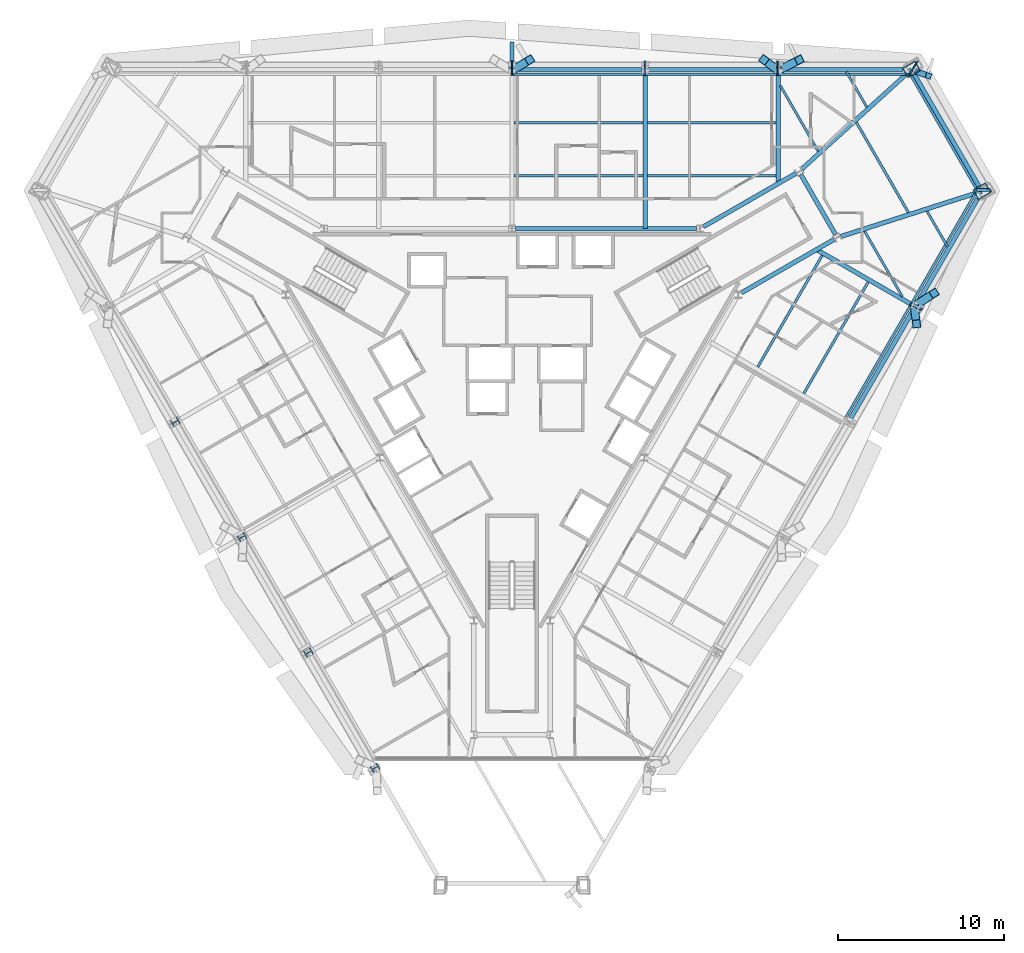
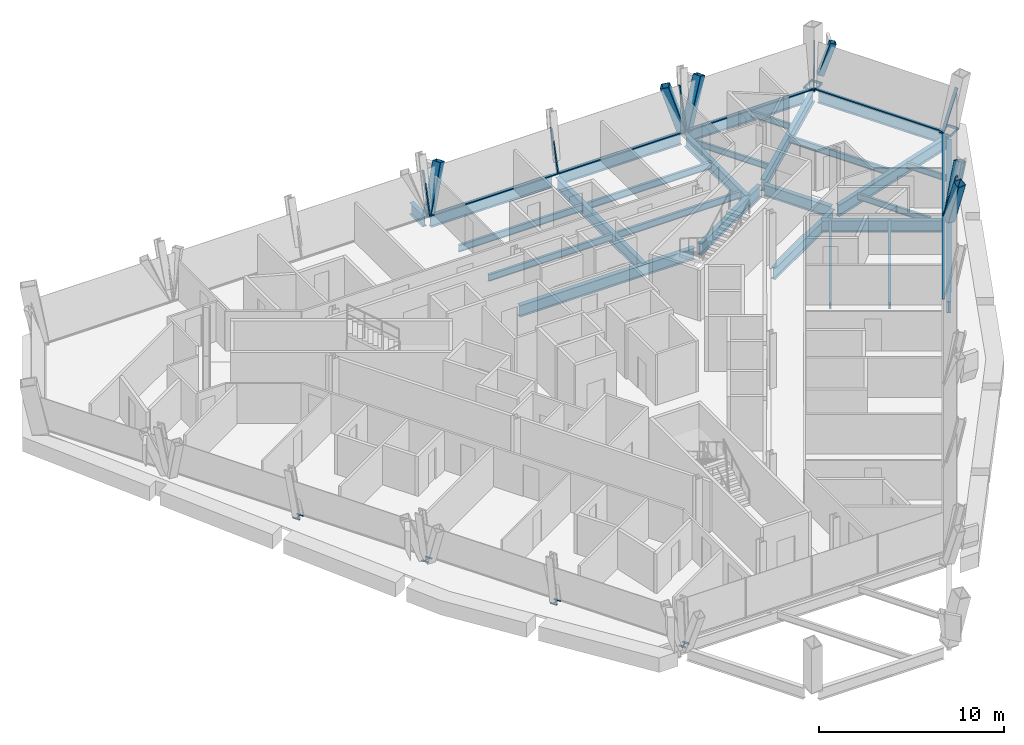
# One storey, part 7 of 15: 27 beams, 24 members, 3 elements without a shape of their own.
"""IFC4 building model written with IfcOpenShell, lengths in metres."""

from ifc_helpers import new_model, si_unit, direction, frame, origin, origin_2d, place, context, subcontext, project, spatial, rectangle, hollow_rectangle, i_section, extrude, material, material_profile, profile_set, type_object, element, aggregate, save


model = new_model("IFC4")

# Units and contexts
model_context = context("Model", 3, precision=1e-05, world=origin(), true_north=direction((0.0, 1.0)))
body_context = subcontext(model_context, "Body", "Model", "MODEL_VIEW")
ifc_project = project(units=[si_unit("LENGTHUNIT", "METRE"), si_unit("AREAUNIT", "SQUARE_METRE"), si_unit("VOLUMEUNIT", "CUBIC_METRE"), si_unit("PLANEANGLEUNIT", "RADIAN"), si_unit("MASSUNIT", "GRAM", prefix="KILO")], contexts=[model_context])

# Site, building, storey
site_placement = place(None, origin())
site = spatial("IfcSite", under=ifc_project, at=site_placement, CompositionType="ELEMENT")
building_placement = place(site_placement, origin())
building = spatial("IfcBuilding", under=site, at=building_placement, Name="Verrane Prism Tower", CompositionType="ELEMENT")
storey_placement = place(building_placement, frame((0.0, 0.0, 118.0)))
storey = spatial("IfcBuildingStorey", under=building, at=storey_placement, Name="L28", CompositionType="ELEMENT", Elevation=118.0)

# Member
ifc_material_1 = material(Name="Steel A500 Grade C", Category="steel")
ifc_material_profile_1 = material_profile(ifc_material_1, hollow_rectangle(XDim=0.355712890625, YDim=0.355712890625, WallThickness=0.0126953125, InnerFilletRadius=0.00634765625, OuterFilletRadius=0.01904296875, at=origin_2d()), Name="HSS14x14x1/2")
ifc_profile_set_1 = profile_set([ifc_material_profile_1], Name="Steel A500 Grade C")
member_type_1 = type_object("IfcMemberType", Name="Chamfer brace HSS14x14x1/2", PredefinedType="BRACE", material=ifc_profile_set_1)
member_1_placement = place(storey_placement, frame((24.44677734375, 18.631103515625, 0.732666015625), z_axis=(0.303029669445, -0.104587481994, 0.947224618581), x_axis=(0.326254109702, 0.945282103873, 0.0)))
element("IfcMember", 1, at=member_1_placement, inside=storey, type_object=member_type_1, Name="Chamfer brace NE0 L28", PredefinedType="BRACE", context=body_context, shape_type="SweptSolid", body=[
    extrude(hollow_rectangle(XDim=0.355712890625, YDim=0.355712890625, WallThickness=0.0126953125, InnerFilletRadius=0.00634765625, OuterFilletRadius=0.01904296875, at=origin_2d()), origin(), (0.0, 0.0, 1.0), 2.13818359375),
])

# Beams
ifc_material_2 = material(Name="Steel A992", Category="steel")
ifc_material_profile_2 = material_profile(ifc_material_2, i_section(OverallWidth=0.2666015625, OverallDepth=0.76708984375, WebThickness=0.014892578125, FlangeThickness=0.023681640625, FilletRadius=0.0166015625, at=origin_2d()), Name="W30x124")
ifc_profile_set_2 = profile_set([ifc_material_profile_2], Name="Steel A992")
beam_type_1 = type_object("IfcBeamType", Name="Chamfer spandrel beam W30x124", PredefinedType="SPANDREL", material=ifc_profile_set_2)
beam_1_placement = place(storey_placement, frame((28.135009765625, 11.753173828125, -0.54345703125), z_axis=(-0.500214307011, 0.865901638214, 0.0), x_axis=(-0.865901638214, -0.500214307011, 0.0)))
element("IfcBeam", 2, at=beam_1_placement, inside=storey, type_object=beam_type_1, Name="Chamfer spandrel beam L28", PredefinedType="SPANDREL", context=body_context, shape_type="SweptSolid", body=[
    extrude(i_section(OverallWidth=0.2666015625, OverallDepth=0.76708984375, WebThickness=0.014892578125, FlangeThickness=0.023681640625, FilletRadius=0.0166015625, at=origin_2d()), origin(), (0.0, 0.0, 1.0), 7.7763671875),
])
ifc_material_3 = material(Name="Steel A992", Category="steel")
ifc_material_profile_3 = material_profile(ifc_material_3, i_section(OverallWidth=0.2666015625, OverallDepth=0.7568359375, WebThickness=0.013916015625, FlangeThickness=0.019287109375, FilletRadius=0.0166015625, at=origin_2d()), Name="W30x108")
ifc_profile_set_3 = profile_set([ifc_material_profile_3], Name="Steel A992")
beam_type_2 = type_object("IfcBeamType", Name="Core ring girder W30x108", PredefinedType="BEAM", material=ifc_profile_set_3)
beam_2_placement = place(storey_placement, frame((13.830810546875, 5.335693359375, -0.62841796875), z_axis=(0.866455532004, 0.499254254924, 0.0), x_axis=(-0.499254254924, 0.866455532004, 0.0)))
element("IfcBeam", 3, at=beam_2_placement, inside=storey, type_object=beam_type_2, Name="Core ring girder L28", PredefinedType="BEAM", context=body_context, shape_type="SweptSolid", body=[
    extrude(i_section(OverallWidth=0.2666015625, OverallDepth=0.7568359375, WebThickness=0.013916015625, FlangeThickness=0.019287109375, FilletRadius=0.0166015625, at=origin_2d()), origin(), (0.0, 0.0, 1.0), 6.441162109375),
])
beam_3_placement = place(storey_placement, frame((19.4970703125, 8.838134765625, -0.62841796875), z_axis=(-0.500367003619, 0.865813410435, 0.0), x_axis=(-0.865813410435, -0.500367003619, 0.0)))
element("IfcBeam", 4, at=beam_3_placement, inside=storey, type_object=beam_type_2, Name="Core ring girder L28", PredefinedType="BEAM", context=body_context, shape_type="SweptSolid", body=[
    extrude(i_section(OverallWidth=0.2666015625, OverallDepth=0.7568359375, WebThickness=0.013916015625, FlangeThickness=0.019287109375, FilletRadius=0.0166015625, at=origin_2d()), origin(), (0.0, 0.0, 1.0), 4.185302734375),
])
beam_4_placement = place(storey_placement, frame((17.11181640625, 12.531494140625, -0.62841796875), z_axis=(-0.866455532004, -0.499254254924, 0.0), x_axis=(0.499254254924, -0.866455532004, 0.0)))
element("IfcBeam", 5, at=beam_4_placement, inside=storey, type_object=beam_type_2, Name="Core ring girder L28", PredefinedType="BEAM", context=body_context, shape_type="SweptSolid", body=[
    extrude(i_section(OverallWidth=0.2666015625, OverallDepth=0.7568359375, WebThickness=0.013916015625, FlangeThickness=0.019287109375, FilletRadius=0.0166015625, at=origin_2d()), origin(), (0.0, 0.0, 1.0), 6.441162109375),
])
beam_5_placement = place(storey_placement, frame((11.12939453125, 9.199951171875, -0.62841796875), z_axis=(-1.0, 0.0, 0.0), x_axis=(0.0, -1.0, 0.0)))
element("IfcBeam", 6, at=beam_5_placement, inside=storey, type_object=beam_type_2, Name="Core ring girder L28", PredefinedType="BEAM", context=body_context, shape_type="SweptSolid", body=[
    extrude(i_section(OverallWidth=0.2666015625, OverallDepth=0.7568359375, WebThickness=0.013916015625, FlangeThickness=0.019287109375, FilletRadius=0.0166015625, at=origin_2d()), origin(), (0.0, 0.0, 1.0), 10.9287109375),
])
ifc_material_4 = material(Name="Steel A992", Category="steel")
ifc_material_profile_4 = material_profile(ifc_material_4, i_section(OverallWidth=0.2666015625, OverallDepth=0.76708984375, WebThickness=0.014892578125, FlangeThickness=0.023681640625, FilletRadius=0.0166015625, at=origin_2d()), Name="W30x124")
ifc_profile_set_4 = profile_set([ifc_material_profile_4], Name="Steel A992")
beam_type_3 = type_object("IfcBeamType", Name="Corner girder W30x124", PredefinedType="BEAM", material=ifc_profile_set_4)
beam_6_placement = place(storey_placement, frame((28.3056640625, 11.448486328125, -0.603515625), z_axis=(-0.952340206189, -0.305037918423, 0.0), x_axis=(0.305037918423, -0.952340206189, 0.0)))
element("IfcBeam", 7, at=beam_6_placement, inside=storey, type_object=beam_type_3, Name="Corner girder L28", PredefinedType="BEAM", context=body_context, shape_type="SweptSolid", body=[
    extrude(i_section(OverallWidth=0.2666015625, OverallDepth=0.76708984375, WebThickness=0.014892578125, FlangeThickness=0.023681640625, FilletRadius=0.0166015625, at=origin_2d()), origin(), (0.0, 0.0, 1.0), 8.919189453125),
])
beam_7_placement = place(storey_placement, frame((24.068115234375, 18.788330078125, -0.603515625), z_axis=(-0.740172818675, -0.67241668517, 0.0), x_axis=(0.67241668517, -0.740172818675, 0.0)))
element("IfcBeam", 8, at=beam_7_placement, inside=storey, type_object=beam_type_3, Name="Corner girder L28", PredefinedType="BEAM", context=body_context, shape_type="SweptSolid", body=[
    extrude(i_section(OverallWidth=0.2666015625, OverallDepth=0.76708984375, WebThickness=0.014892578125, FlangeThickness=0.023681640625, FilletRadius=0.0166015625, at=origin_2d()), origin(), (0.0, 0.0, 1.0), 8.921630859375),
])

# Members
ifc_material_5 = material(Name="Steel A1085 Grade A", Category="steel")
ifc_material_profile_5 = material_profile(ifc_material_5, hollow_rectangle(XDim=0.508056640625, YDim=0.508056640625, WallThickness=0.025390625, InnerFilletRadius=0.0126953125, OuterFilletRadius=0.0380859375, at=origin_2d()), Name="HSS20x20x1")
ifc_profile_set_5 = profile_set([ifc_material_profile_5], Name="Steel A1085 Grade A")
member_type_2 = type_object("IfcMemberType", Name="Facade brace HSS20x20x1", PredefinedType="BRACE", material=ifc_profile_set_5)
member_2_placement = place(storey_placement, frame((16.17138671875, 18.7900390625, -0.197509765625), z_axis=(0.353566984918, 0.180073367078, 0.917912833359), x_axis=(-0.453834408523, 0.891086039415, 0.0)))
element("IfcMember", 9, at=member_2_placement, inside=storey, type_object=member_type_2, Name="Facade brace N0 L28", PredefinedType="BRACE", context=body_context, shape_type="SweptSolid", body=[
    extrude(hollow_rectangle(XDim=0.508056640625, YDim=0.508056640625, WallThickness=0.025390625, InnerFilletRadius=0.0126953125, OuterFilletRadius=0.0380859375, at=origin_2d()), origin(), (0.0, 0.0, 1.0), 3.22802734375),
])
member_3_placement = place(storey_placement, frame((15.951416015625, 18.7900390625, -0.197509765625), z_axis=(-0.247465977731, 0.186519940797, 0.950773843535), x_axis=(-0.601899306778, -0.798571990807, 0.0)))
element("IfcMember", 10, at=member_3_placement, inside=storey, type_object=member_type_2, Name="Facade brace N1 L28", PredefinedType="BRACE", context=body_context, shape_type="SweptSolid", body=[
    extrude(hollow_rectangle(XDim=0.508056640625, YDim=0.508056640625, WallThickness=0.025390625, InnerFilletRadius=0.0126953125, OuterFilletRadius=0.0380859375, at=origin_2d()), origin(), (0.0, 0.0, 1.0), 3.116455078125),
])
member_4_placement = place(storey_placement, frame((0.110107421875, 18.7900390625, -0.197509765625), z_axis=(0.302056863472, 0.183515537619, 0.935459084451), x_axis=(-0.519234190392, 0.854632000061, 0.0)))
element("IfcMember", 11, at=member_4_placement, inside=storey, type_object=member_type_2, Name="Facade brace N2 L28", PredefinedType="BRACE", context=body_context, shape_type="SweptSolid", body=[
    extrude(hollow_rectangle(XDim=0.508056640625, YDim=0.508056640625, WallThickness=0.025390625, InnerFilletRadius=0.0126953125, OuterFilletRadius=0.0380859375, at=origin_2d()), origin(), (0.0, 0.0, 1.0), 3.16748046875),
])
member_5_placement = place(storey_placement, frame((24.25537109375, 4.4228515625, -0.197509765625), z_axis=(0.037356694679, -0.308408099886, 0.950520342385), x_axis=(0.992743816688, 0.120248552707, 0.0)))
element("IfcMember", 12, at=member_5_placement, inside=storey, type_object=member_type_2, Name="Facade brace SE4 L28", PredefinedType="BRACE", context=body_context, shape_type="SweptSolid", body=[
    extrude(hollow_rectangle(XDim=0.508056640625, YDim=0.508056640625, WallThickness=0.025390625, InnerFilletRadius=0.0126953125, OuterFilletRadius=0.0380859375, at=origin_2d()), origin(), (0.0, 0.0, 1.0), 3.117431640625),
])
member_6_placement = place(storey_placement, frame((24.365478515625, 4.61328125, -0.197509765625), z_axis=(0.332338228681, 0.215607546492, 0.918185540974), x_axis=(-0.544256493754, 0.838918869144, 0.0)))
element("IfcMember", 13, at=member_6_placement, inside=storey, type_object=member_type_2, Name="Facade brace SE5 L28", PredefinedType="BRACE", context=body_context, shape_type="SweptSolid", body=[
    extrude(hollow_rectangle(XDim=0.508056640625, YDim=0.508056640625, WallThickness=0.025390625, InnerFilletRadius=0.0126953125, OuterFilletRadius=0.0380859375, at=origin_2d()), origin(), (0.0, 0.0, 1.0), 3.22705078125),
])

# Beams
ifc_material_6 = material(Name="Steel A992", Category="steel")
ifc_material_profile_6 = material_profile(ifc_material_6, i_section(OverallWidth=0.140380859375, OverallDepth=0.40380859375, WebThickness=0.007080078125, FlangeThickness=0.01123046875, FilletRadius=0.01025390625, at=origin_2d()), Name="W16x31")
ifc_profile_set_6 = profile_set([ifc_material_profile_6], Name="Steel A992")
beam_type_4 = type_object("IfcBeamType", Name="Floor beam W16x31", PredefinedType="BEAM", material=ifc_profile_set_6)
beam_8_placement = place(storey_placement, frame((21.37744140625, 16.5244140625, -0.36181640625), z_axis=(-0.500000007376, 0.866025399526, 0.0), x_axis=(-0.866025399526, -0.500000007376, 0.0)))
element("IfcBeam", 14, at=beam_8_placement, inside=storey, type_object=beam_type_4, Name="Floor beam L28", PredefinedType="BEAM", context=body_context, shape_type="SweptSolid", body=[
    extrude(i_section(OverallWidth=0.140380859375, OverallDepth=0.40380859375, WebThickness=0.007080078125, FlangeThickness=0.01123046875, FilletRadius=0.01025390625, at=origin_2d()), origin(), (0.0, 0.0, 1.0), 2.4619140625),
])
beam_9_placement = place(storey_placement, frame((18.4501953125, 13.864990234375, -0.36181640625), z_axis=(-0.500008678503, 0.86602039319, 0.0), x_axis=(-0.86602039319, -0.500008678503, 0.0)))
element("IfcBeam", 15, at=beam_9_placement, inside=storey, type_object=beam_type_4, Name="Floor beam L28", PredefinedType="BEAM", context=body_context, shape_type="SweptSolid", body=[
    extrude(i_section(OverallWidth=0.140380859375, OverallDepth=0.40380859375, WebThickness=0.007080078125, FlangeThickness=0.01123046875, FilletRadius=0.01025390625, at=origin_2d()), origin(), (0.0, 0.0, 1.0), 4.55322265625),
])
beam_10_placement = place(storey_placement, frame((26.23583984375, 8.122314453125, -0.36181640625), z_axis=(-0.500026134388, 0.866010314562, 0.0), x_axis=(-0.866010314562, -0.500026134388, 0.0)))
element("IfcBeam", 16, at=beam_10_placement, inside=storey, type_object=beam_type_4, Name="Floor beam L28", PredefinedType="BEAM", context=body_context, shape_type="SweptSolid", body=[
    extrude(i_section(OverallWidth=0.140380859375, OverallDepth=0.40380859375, WebThickness=0.007080078125, FlangeThickness=0.01123046875, FilletRadius=0.01025390625, at=origin_2d()), origin(), (0.0, 0.0, 1.0), 2.458740234375),
])
beam_11_placement = place(storey_placement, frame((23.5205078125, 5.104736328125, -0.36181640625), z_axis=(-0.500004125498, 0.866023021914, 0.0), x_axis=(-0.866023021914, -0.500004125498, 0.0)))
element("IfcBeam", 17, at=beam_11_placement, inside=storey, type_object=beam_type_4, Name="Floor beam L28", PredefinedType="BEAM", context=body_context, shape_type="SweptSolid", body=[
    extrude(i_section(OverallWidth=0.140380859375, OverallDepth=0.40380859375, WebThickness=0.007080078125, FlangeThickness=0.01123046875, FilletRadius=0.01025390625, at=origin_2d()), origin(), (0.0, 0.0, 1.0), 4.5517578125),
])
ifc_material_7 = material(Name="Steel A992", Category="steel")
ifc_material_profile_7 = material_profile(ifc_material_7, i_section(OverallWidth=0.15234375, OverallDepth=0.449462890625, WebThickness=0.007568359375, FlangeThickness=0.0107421875, FilletRadius=0.01025390625, at=origin_2d()), Name="W18x35")
ifc_profile_set_7 = profile_set([ifc_material_profile_7], Name="Steel A992")
beam_type_5 = type_object("IfcBeamType", Name="Floor beam W18x35", PredefinedType="BEAM", material=ifc_profile_set_7)
for number, where, z_axis, x_axis, name in (
    (18, (8.153564453125, 12.396728515625, -0.384765625), (1.0, 0.0, 0.0), (0.0, 1.0, 0.0), "Floor beam L28"),
    (19, (8.153564453125, 15.59326171875, -0.384765625), (1.0, 0.0, 0.0), (0.0, 1.0, 0.0), "Floor beam L28"),
    (20, (0.133544921875, 12.396728515625, -0.384765625), (1.0, 0.0, 0.0), (0.0, 1.0, 0.0), "Floor beam L28"),
    (21, (0.133544921875, 15.59326171875, -0.384765625), (1.0, 0.0, 0.0), (0.0, 1.0, 0.0), "Floor beam L28"),
):
    element("IfcBeam", number, at=place(storey_placement, frame(where, z_axis=z_axis, x_axis=x_axis)), inside=storey, type_object=beam_type_5, Name=name, PredefinedType="BEAM", context=body_context, shape_type="SweptSolid", body=[
        extrude(i_section(OverallWidth=0.15234375, OverallDepth=0.449462890625, WebThickness=0.007568359375, FlangeThickness=0.0107421875, FilletRadius=0.01025390625, at=origin_2d()), origin(), (0.0, 0.0, 1.0), 7.7529296875),
    ])
beam_12_placement = place(storey_placement, frame((17.58056640625, -0.736572265625, -0.384765625), z_axis=(0.499974721637, 0.866039997762, 0.0), x_axis=(-0.866039997762, 0.499974721637, 0.0)))
element("IfcBeam", 22, at=beam_12_placement, inside=storey, type_object=beam_type_5, Name="Floor beam L28", PredefinedType="BEAM", context=body_context, shape_type="SweptSolid", body=[
    extrude(i_section(OverallWidth=0.15234375, OverallDepth=0.449462890625, WebThickness=0.007568359375, FlangeThickness=0.0107421875, FilletRadius=0.01025390625, at=origin_2d()), origin(), (0.0, 0.0, 1.0), 7.76318359375),
])
beam_13_placement = place(storey_placement, frame((14.80859375, 0.864501953125, -0.384765625), z_axis=(0.500014594887, 0.866016977259, 0.0), x_axis=(-0.866016977259, 0.500014594887, 0.0)))
element("IfcBeam", 23, at=beam_13_placement, inside=storey, type_object=beam_type_5, Name="Floor beam L28", PredefinedType="BEAM", context=body_context, shape_type="SweptSolid", body=[
    extrude(i_section(OverallWidth=0.15234375, OverallDepth=0.449462890625, WebThickness=0.007568359375, FlangeThickness=0.0107421875, FilletRadius=0.01025390625, at=origin_2d()), origin(), (0.0, 0.0, 1.0), 7.764404296875),
])
beam_14_placement = place(storey_placement, frame((23.8857421875, 10.173095703125, -0.384765625), z_axis=(-0.50001262068, 0.866018117109, 0.0), x_axis=(-0.866018117109, -0.50001262068, 0.0)))
element("IfcBeam", 24, at=beam_14_placement, inside=storey, type_object=beam_type_5, Name="Floor beam L28", PredefinedType="BEAM", context=body_context, shape_type="SweptSolid", body=[
    extrude(i_section(OverallWidth=0.15234375, OverallDepth=0.449462890625, WebThickness=0.007568359375, FlangeThickness=0.0107421875, FilletRadius=0.01025390625, at=origin_2d()), origin(), (0.0, 0.0, 1.0), 6.263427734375),
])

# Members
ifc_material_8 = material(Name="Steel A572 Grade 50", Category="steel")
ifc_material_profile_8 = material_profile(ifc_material_8, hollow_rectangle(XDim=0.699951171875, YDim=0.89990234375, WallThickness=0.06494140625, at=origin_2d()), Name="BOX 900x700x65")
ifc_profile_set_8 = profile_set([ifc_material_profile_8], Name="Steel A572 Grade 50")
member_type_3 = type_object("IfcMemberType", Name="Kink node BOX 900x700x65", PredefinedType="COLLAR", material=ifc_profile_set_8)
for number, where, z_axis, x_axis, name in (
    (25, (28.318359375, 11.449951171875, -0.074951171875), (0.0, 0.0, 1.0), (0.5, -0.866025403784, 0.0), "Kink node MC3 L28"),
    (26, (24.07421875, 18.79736328125, -0.074951171875), (0.0, 0.0, 1.0), (0.5, -0.866025403784, 0.0), "Kink node MC3 L28"),
):
    element("IfcMember", number, at=place(storey_placement, frame(where, z_axis=z_axis, x_axis=x_axis)), inside=storey, type_object=member_type_3, Name=name, PredefinedType="COLLAR", context=body_context, shape_type="SweptSolid", body=[
        extrude(hollow_rectangle(XDim=0.699951171875, YDim=0.89990234375, WallThickness=0.06494140625, at=origin_2d()), origin(), (0.0, 0.0, 1.0), 0.14990234375),
    ])
ifc_material_9 = material(Name="Steel A992", Category="steel")
ifc_material_profile_9 = material_profile(ifc_material_9, i_section(OverallWidth=0.424072265625, OverallDepth=0.47509765625, WebThickness=0.0478515625, FlangeThickness=0.0771484375, FilletRadius=0.014892578125, at=origin_2d()), Name="W14x426")
ifc_profile_set_9 = profile_set([ifc_material_profile_9], Name="Steel A992")
member_type_4 = type_object("IfcMemberType", Name="Kink node W14x426", PredefinedType="COLLAR", material=ifc_profile_set_9)
member_7_placement = place(storey_placement, frame((-20.28369140625, -2.451416015625, -0.0400390625), z_axis=(0.0, 0.0, 1.0), x_axis=(-0.5, 0.866025403784, 0.0)))
element("IfcMember", 27, at=member_7_placement, inside=storey, type_object=member_type_4, Name="Kink node PC4 L28", PredefinedType="COLLAR", context=body_context, shape_type="SweptSolid", body=[
    extrude(i_section(OverallWidth=0.424072265625, OverallDepth=0.47509765625, WebThickness=0.0478515625, FlangeThickness=0.0771484375, FilletRadius=0.014892578125, at=origin_2d()), origin(), (0.0, 0.0, 1.0), 0.080078125),
])
member_8_placement = place(storey_placement, frame((-16.27294921875, -9.3916015625, -0.034912109375), z_axis=(0.0, 0.0, 1.0), x_axis=(-0.5, 0.866025403784, 0.0)))
element("IfcMember", 28, at=member_8_placement, inside=storey, type_object=member_type_4, Name="Kink node PC4 L28", PredefinedType="COLLAR", context=body_context, shape_type="SweptSolid", body=[
    extrude(i_section(OverallWidth=0.424072265625, OverallDepth=0.47509765625, WebThickness=0.0478515625, FlangeThickness=0.0771484375, FilletRadius=0.014892578125, at=origin_2d()), origin(), (0.0, 0.0, 1.0), 0.06982421875),
])
member_9_placement = place(storey_placement, frame((-12.262939453125, -16.342529296875, -0.0400390625), z_axis=(0.0, 0.0, 1.0), x_axis=(-0.5, 0.866025403784, 0.0)))
element("IfcMember", 29, at=member_9_placement, inside=storey, type_object=member_type_4, Name="Kink node PC4 L28", PredefinedType="COLLAR", context=body_context, shape_type="SweptSolid", body=[
    extrude(i_section(OverallWidth=0.424072265625, OverallDepth=0.47509765625, WebThickness=0.0478515625, FlangeThickness=0.0771484375, FilletRadius=0.014892578125, at=origin_2d()), origin(), (0.0, 0.0, 1.0), 0.080078125),
])
member_10_placement = place(storey_placement, frame((-8.2529296875, -23.293701171875, -0.044921875), z_axis=(0.0, 0.0, 1.0), x_axis=(-0.5, 0.866025403784, 0.0)))
element("IfcMember", 30, at=member_10_placement, inside=storey, type_object=member_type_4, Name="Kink node PC4 L28", PredefinedType="COLLAR", context=body_context, shape_type="SweptSolid", body=[
    extrude(i_section(OverallWidth=0.424072265625, OverallDepth=0.47509765625, WebThickness=0.0478515625, FlangeThickness=0.0771484375, FilletRadius=0.014892578125, at=origin_2d()), origin(), (0.0, 0.0, 1.0), 0.08984375),
])

# Curtain wall, member
ifc_material_10 = material(Name="Aluminium framed insulated glazing", Category="aluminium")
curtain_wall_type = type_object("IfcCurtainWallType", Name="Curtain wall CW-A 8400 module", PredefinedType="NOTDEFINED", material=ifc_material_10)
curtain_wall_1_placement = place(storey_placement, origin())
curtain_wall_1 = element("IfcCurtainWall", 31, at=curtain_wall_1_placement, inside=storey, type_object=curtain_wall_type, Name="Glazed curtain wall north-east corner L28", PredefinedType="NOTDEFINED")
ifc_material_11 = material(Name="Aluminium alloy 6063-T6", Category="aluminium")
ifc_material_profile_10 = material_profile(ifc_material_11, rectangle(XDim=0.199951171875, YDim=0.070068359375, at=origin_2d()), Name="Mullion 70x200 aluminium")
ifc_profile_set_10 = profile_set([ifc_material_profile_10], Name="Aluminium alloy 6063-T6")
member_type_5 = type_object("IfcMemberType", Name="Mullion 70x200 aluminium", PredefinedType="MULLION", material=ifc_profile_set_10)
member_11_placement = place(storey_placement, frame((28.010498046875, 11.55419921875, 0.0), z_axis=(0.301390711003, -0.010868952629, 0.953438778942), x_axis=(0.445194610962, -0.882645753632, -0.150792015588)))
member_11 = element("IfcMember", 32, at=member_11_placement, type_object=member_type_5, Name="CW27.1 mullion 1", PredefinedType="MULLION", context=body_context, shape_type="SweptSolid", body=[
    extrude(rectangle(XDim=0.199951171875, YDim=0.070068359375, at=origin_2d()), origin(), (0.0, 0.0, 1.0), 2.740478515625),
])

# Curtain wall, members
curtain_wall_2_placement = place(storey_placement, origin())
curtain_wall_2 = element("IfcCurtainWall", 33, at=curtain_wall_2_placement, inside=storey, type_object=curtain_wall_type, Name="Glazed curtain wall north face L28", PredefinedType="NOTDEFINED")
member_12_placement = place(storey_placement, frame((23.958984375, 18.510986328125, 0.0), z_axis=(0.160448319196, 0.255416619176, 0.95342471518), x_axis=(0.507160567193, 0.807345555881, -0.301631086734)))
member_12 = element("IfcMember", 34, at=member_12_placement, type_object=member_type_5, Name="CW27.2 mullion 1", PredefinedType="MULLION", context=body_context, shape_type="SweptSolid", body=[
    extrude(rectangle(XDim=0.199951171875, YDim=0.070068359375, at=origin_2d()), origin(), (0.0, 0.0, 1.0), 2.740478515625),
])
member_13_placement = place(storey_placement, frame((15.99609375, 18.510986328125, 0.0), z_axis=(0.0, 0.25876916976, 0.965939188967), x_axis=(0.0, 0.965939188967, -0.25876916976)))
member_13 = element("IfcMember", 35, at=member_13_placement, type_object=member_type_5, Name="CW27.2 mullion 2", PredefinedType="MULLION", context=body_context, shape_type="SweptSolid", body=[
    extrude(rectangle(XDim=0.199951171875, YDim=0.070068359375, at=origin_2d()), origin(), (0.0, 0.0, 1.0), 2.704833984375),
])
member_14_placement = place(storey_placement, frame((7.998046875, 18.510986328125, 0.0), z_axis=(0.0, 0.25876916976, 0.965939188967), x_axis=(0.0, 0.965939188967, -0.25876916976)))
member_14 = element("IfcMember", 36, at=member_14_placement, type_object=member_type_5, Name="CW27.2 mullion 3", PredefinedType="MULLION", context=body_context, shape_type="SweptSolid", body=[
    extrude(rectangle(XDim=0.199951171875, YDim=0.070068359375, at=origin_2d()), origin(), (0.0, 0.0, 1.0), 2.704833984375),
])
member_15_placement = place(storey_placement, frame((0.0, 18.510986328125, 0.0), z_axis=(0.0, 0.25876916976, 0.965939188967), x_axis=(0.0, 0.965939188967, -0.25876916976)))
member_15 = element("IfcMember", 37, at=member_15_placement, type_object=member_type_5, Name="CW27.2 mullion 4", PredefinedType="MULLION", context=body_context, shape_type="SweptSolid", body=[
    extrude(rectangle(XDim=0.199951171875, YDim=0.070068359375, at=origin_2d()), origin(), (0.0, 0.0, 1.0), 2.704833984375),
])

# Curtain wall, member
curtain_wall_3_placement = place(storey_placement, origin())
curtain_wall_3 = element("IfcCurtainWall", 38, at=curtain_wall_3_placement, inside=storey, type_object=curtain_wall_type, Name="Glazed curtain wall south-east face L28", PredefinedType="NOTDEFINED")
member_16_placement = place(storey_placement, frame((24.07177734375, 4.671630859375, 0.0), z_axis=(0.224108381383, -0.129428682603, 0.965931493178), x_axis=(-0.8513401511, -0.508405286156, 0.129398655843)))
member_16 = element("IfcMember", 39, at=member_16_placement, type_object=member_type_5, Name="CW27.6 mullion 5", PredefinedType="MULLION", context=body_context, shape_type="SweptSolid", body=[
    extrude(rectangle(XDim=0.199951171875, YDim=0.070068359375, at=origin_2d()), origin(), (0.0, 0.0, 1.0), 2.704833984375),
])

# Beams
ifc_material_12 = material(Name="Steel A992", Category="steel")
ifc_material_profile_11 = material_profile(ifc_material_12, i_section(OverallWidth=0.2666015625, OverallDepth=0.76708984375, WebThickness=0.014892578125, FlangeThickness=0.023681640625, FilletRadius=0.0166015625, at=origin_2d()), Name="W30x124")
ifc_profile_set_11 = profile_set([ifc_material_profile_11], Name="Steel A992")
beam_type_6 = type_object("IfcBeamType", Name="Radial girder W30x124", PredefinedType="BEAM", material=ifc_profile_set_11)
beam_15_placement = place(storey_placement, frame((16.0400390625, 18.552490234375, -0.603515625), z_axis=(0.0, -1.0, 0.0), x_axis=(1.0, 0.0, 0.0)))
element("IfcBeam", 40, at=beam_15_placement, inside=storey, type_object=beam_type_6, Name="Radial girder L28", PredefinedType="BEAM", context=body_context, shape_type="SweptSolid", body=[
    extrude(i_section(OverallWidth=0.2666015625, OverallDepth=0.76708984375, WebThickness=0.014892578125, FlangeThickness=0.023681640625, FilletRadius=0.0166015625, at=origin_2d()), origin(), (0.0, 0.0, 1.0), 6.638427734375),
])
beam_16_placement = place(storey_placement, frame((8.02001953125, 18.552490234375, -0.603515625), z_axis=(0.0, -1.0, 0.0), x_axis=(1.0, 0.0, 0.0)))
element("IfcBeam", 41, at=beam_16_placement, inside=storey, type_object=beam_type_6, Name="Radial girder L28", PredefinedType="BEAM", context=body_context, shape_type="SweptSolid", body=[
    extrude(i_section(OverallWidth=0.2666015625, OverallDepth=0.76708984375, WebThickness=0.014892578125, FlangeThickness=0.023681640625, FilletRadius=0.0166015625, at=origin_2d()), origin(), (0.0, 0.0, 1.0), 9.3525390625),
])
beam_17_placement = place(storey_placement, frame((24.09423828125, 4.61865234375, -0.603515625), z_axis=(-0.866011622103, 0.500023869813, 0.0), x_axis=(-0.500023869813, -0.866011622103, 0.0)))
element("IfcBeam", 42, at=beam_17_placement, inside=storey, type_object=beam_type_6, Name="Radial girder L28", PredefinedType="BEAM", context=body_context, shape_type="SweptSolid", body=[
    extrude(i_section(OverallWidth=0.2666015625, OverallDepth=0.76708984375, WebThickness=0.014892578125, FlangeThickness=0.023681640625, FilletRadius=0.0166015625, at=origin_2d()), origin(), (0.0, 0.0, 1.0), 6.637451171875),
])
beam_18_placement = place(storey_placement, frame((0.0, 19.0234375, -0.603515625), z_axis=(0.0, 1.0, 0.0), x_axis=(-1.0, 0.0, 0.0)))
element("IfcBeam", 43, at=beam_18_placement, inside=storey, type_object=beam_type_6, Name="Cantilever girder L28", PredefinedType="BEAM", context=body_context, shape_type="SweptSolid", body=[
    extrude(i_section(OverallWidth=0.2666015625, OverallDepth=0.76708984375, WebThickness=0.014892578125, FlangeThickness=0.023681640625, FilletRadius=0.0166015625, at=origin_2d()), origin(), (0.0, 0.0, 1.0), 1.42041015625),
])
ifc_material_13 = material(Name="Steel A992", Category="steel")
ifc_material_profile_12 = material_profile(ifc_material_13, i_section(OverallWidth=0.2666015625, OverallDepth=0.7568359375, WebThickness=0.013916015625, FlangeThickness=0.019287109375, FilletRadius=0.0166015625, at=origin_2d()), Name="W30x108")
ifc_profile_set_12 = profile_set([ifc_material_profile_12], Name="Steel A992")
beam_type_7 = type_object("IfcBeamType", Name="Spandrel beam W30x108", PredefinedType="SPANDREL", material=ifc_profile_set_12)
beam_19_placement = place(storey_placement, frame((23.55029296875, 18.7900390625, -0.53857421875), z_axis=(-1.0, 0.0, 0.0), x_axis=(0.0, -1.0, 0.0)))
element("IfcBeam", 44, at=beam_19_placement, inside=storey, type_object=beam_type_7, Name="Spandrel beam L28", PredefinedType="SPANDREL", context=body_context, shape_type="SweptSolid", body=[
    extrude(i_section(OverallWidth=0.2666015625, OverallDepth=0.7568359375, WebThickness=0.013916015625, FlangeThickness=0.019287109375, FilletRadius=0.0166015625, at=origin_2d()), origin(), (0.0, 0.0, 1.0), 7.298095703125),
])
for number, where, z_axis, x_axis, name in (
    (45, (15.827880859375, 18.7900390625, -0.53857421875), (-1.0, 0.0, 0.0), (0.0, -1.0, 0.0), "Spandrel beam L28"),
    (46, (7.807861328125, 18.7900390625, -0.53857421875), (-1.0, 0.0, 0.0), (0.0, -1.0, 0.0), "Spandrel beam L28"),
):
    element("IfcBeam", number, at=place(storey_placement, frame(where, z_axis=z_axis, x_axis=x_axis)), inside=storey, type_object=beam_type_7, Name=name, PredefinedType="SPANDREL", context=body_context, shape_type="SweptSolid", body=[
        extrude(i_section(OverallWidth=0.2666015625, OverallDepth=0.7568359375, WebThickness=0.013916015625, FlangeThickness=0.019287109375, FilletRadius=0.0166015625, at=origin_2d()), origin(), (0.0, 0.0, 1.0), 7.595703125),
    ])
beam_20_placement = place(storey_placement, frame((20.38623046875, -2.266357421875, -0.53857421875), z_axis=(0.500695808248, 0.865623305834, 0.0), x_axis=(-0.865623305834, 0.500695808248, 0.0)))
element("IfcBeam", 47, at=beam_20_placement, inside=storey, type_object=beam_type_7, Name="Spandrel beam L28", PredefinedType="SPANDREL", context=body_context, shape_type="SweptSolid", body=[
    extrude(i_section(OverallWidth=0.2666015625, OverallDepth=0.7568359375, WebThickness=0.013916015625, FlangeThickness=0.019287109375, FilletRadius=0.0166015625, at=origin_2d()), origin(), (0.0, 0.0, 1.0), 7.604736328125),
])
beam_21_placement = place(storey_placement, frame((24.406005859375, 4.68359375, -0.53857421875), z_axis=(0.499743707602, 0.866173323713, 0.0), x_axis=(-0.866173323713, 0.499743707602, 0.0)))
element("IfcBeam", 48, at=beam_21_placement, inside=storey, type_object=beam_type_7, Name="Spandrel beam L28", PredefinedType="SPANDREL", context=body_context, shape_type="SweptSolid", body=[
    extrude(i_section(OverallWidth=0.2666015625, OverallDepth=0.7568359375, WebThickness=0.013916015625, FlangeThickness=0.019287109375, FilletRadius=0.0166015625, at=origin_2d()), origin(), (0.0, 0.0, 1.0), 7.292236328125),
])

# Member
ifc_material_14 = material(Name="Aluminium alloy 6063-T6", Category="aluminium")
ifc_material_profile_13 = material_profile(ifc_material_14, rectangle(XDim=0.14990234375, YDim=0.070068359375, at=origin_2d()), Name="Transom 70x150 aluminium")
ifc_profile_set_13 = profile_set([ifc_material_profile_13], Name="Aluminium alloy 6063-T6")
member_type_6 = type_object("IfcMemberType", Name="Transom 70x150 aluminium", PredefinedType="USERDEFINED", material=ifc_profile_set_13)
member_17_placement = place(storey_placement, frame((27.992919921875, 11.584716796875, 0.034912109375), z_axis=(-0.499990220787, 0.866031049742, 0.0), x_axis=(-0.866031049742, -0.499990220787, 0.0)))
member_17 = element("IfcMember", 49, at=member_17_placement, type_object=member_type_6, Name="CW27.1 transom 1", ObjectType="TRANSOM", PredefinedType="USERDEFINED", context=body_context, shape_type="SweptSolid", body=[
    extrude(rectangle(XDim=0.14990234375, YDim=0.070068359375, at=origin_2d()), origin(), (0.0, 0.0, 1.0), 7.997802734375),
])

aggregate(curtain_wall_1, [member_11, member_17])

member_18_placement = place(storey_placement, frame((23.924072265625, 18.510986328125, 0.034912109375), z_axis=(-1.0, 0.0, 0.0), x_axis=(0.0, -1.0, 0.0)))
member_18 = element("IfcMember", 50, at=member_18_placement, type_object=member_type_6, Name="CW27.2 transom 1", ObjectType="TRANSOM", PredefinedType="USERDEFINED", context=body_context, shape_type="SweptSolid", body=[
    extrude(rectangle(XDim=0.14990234375, YDim=0.070068359375, at=origin_2d()), origin(), (0.0, 0.0, 1.0), 7.89306640625),
])

member_19_placement = place(storey_placement, frame((15.961181640625, 18.510986328125, 0.034912109375), z_axis=(-1.0, 0.0, 0.0), x_axis=(0.0, -1.0, 0.0)))
member_19 = element("IfcMember", 51, at=member_19_placement, type_object=member_type_6, Name="CW27.2 transom 2", ObjectType="TRANSOM", PredefinedType="USERDEFINED", context=body_context, shape_type="SweptSolid", body=[
    extrude(rectangle(XDim=0.14990234375, YDim=0.070068359375, at=origin_2d()), origin(), (0.0, 0.0, 1.0), 7.92822265625),
])

member_20_placement = place(storey_placement, frame((7.963134765625, 18.510986328125, 0.034912109375), z_axis=(-1.0, 0.0, 0.0), x_axis=(0.0, -1.0, 0.0)))
member_20 = element("IfcMember", 52, at=member_20_placement, type_object=member_type_6, Name="CW27.2 transom 3", ObjectType="TRANSOM", PredefinedType="USERDEFINED", context=body_context, shape_type="SweptSolid", body=[
    extrude(rectangle(XDim=0.14990234375, YDim=0.070068359375, at=origin_2d()), origin(), (0.0, 0.0, 1.0), 7.92822265625),
])

aggregate(curtain_wall_2, [member_12, member_13, member_14, member_15, member_18, member_19, member_20])

member_21_placement = place(storey_placement, frame((20.133056640625, -2.150390625, 0.034912109375), z_axis=(0.499992828865, 0.866029544001, 0.0), x_axis=(-0.866029544001, 0.499992828865, 0.0)))
member_21 = element("IfcMember", 53, at=member_21_placement, type_object=member_type_6, Name="CW27.6 transom 4", ObjectType="TRANSOM", PredefinedType="USERDEFINED", context=body_context, shape_type="SweptSolid", body=[
    extrude(rectangle(XDim=0.14990234375, YDim=0.070068359375, at=origin_2d()), origin(), (0.0, 0.0, 1.0), 7.84228515625),
])

member_22_placement = place(storey_placement, frame((24.08935546875, 4.701904296875, 0.034912109375), z_axis=(0.500002357631, 0.866024042601, 0.0), x_axis=(-0.866024042601, 0.500002357631, 0.0)))
member_22 = element("IfcMember", 54, at=member_22_placement, type_object=member_type_6, Name="CW27.6 transom 5", ObjectType="TRANSOM", PredefinedType="USERDEFINED", context=body_context, shape_type="SweptSolid", body=[
    extrude(rectangle(XDim=0.14990234375, YDim=0.070068359375, at=origin_2d()), origin(), (0.0, 0.0, 1.0), 7.87744140625),
])

aggregate(curtain_wall_3, [member_16, member_21, member_22])

save(model, "model.ifc")
